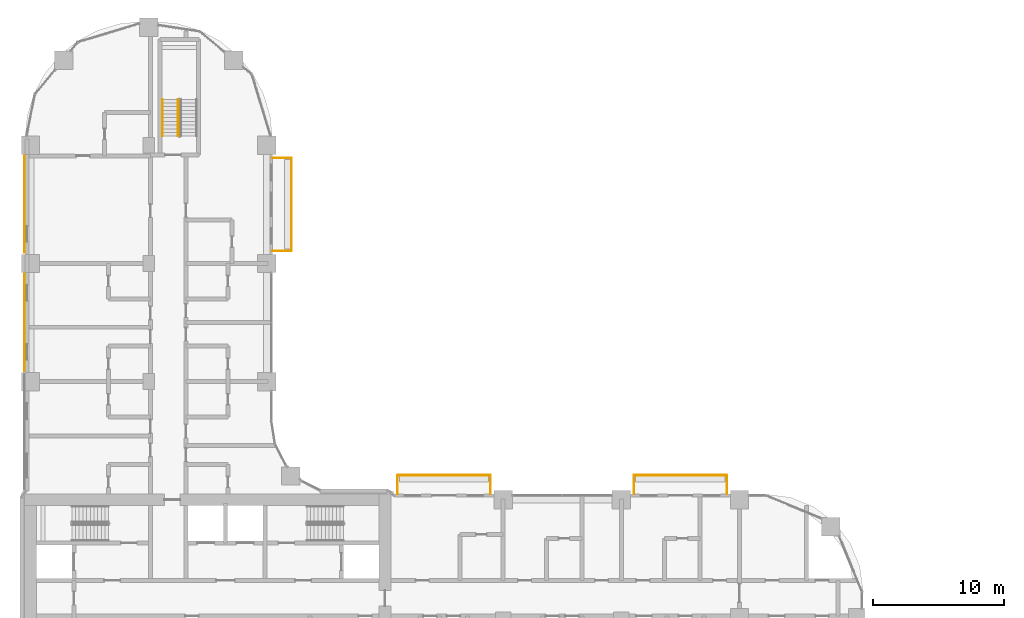
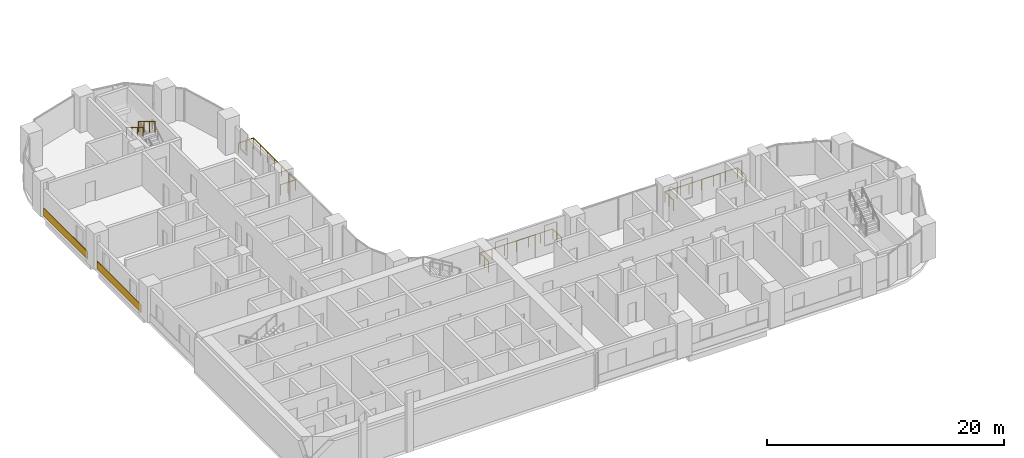
# One storey, part 28 of 30: 5 railings, 2 coverings.
"""IFC4 building model written with IfcOpenShell, lengths in metres."""

from ifc_helpers import new_model, si_unit, direction, frame, origin, origin_2d, place, context, subcontext, project, spatial, rectangle, circle, extrude, material, layer, layer_set, type_object, element, save


model = new_model("IFC4")

# Units and contexts
model_context = context("Model", 3, precision=1e-05, world=origin(), true_north=direction((0.0, 1.0)))
body_context = subcontext(model_context, "Body", "Model", "MODEL_VIEW")
ifc_project = project(units=[si_unit("LENGTHUNIT", "METRE"), si_unit("AREAUNIT", "SQUARE_METRE"), si_unit("VOLUMEUNIT", "CUBIC_METRE"), si_unit("PLANEANGLEUNIT", "RADIAN"), si_unit("MASSUNIT", "GRAM", prefix="KILO")], contexts=[model_context])

# Site, building, storey
site_placement = place(None, origin())
site = spatial("IfcSite", under=ifc_project, at=site_placement, CompositionType="ELEMENT")
building_placement = place(site_placement, origin())
building = spatial("IfcBuilding", under=site, at=building_placement, Name="Ogive Portal Towers", CompositionType="ELEMENT")
storey_placement = place(building_placement, frame((0.0, 0.0, 37.199951171875)))
storey = spatial("IfcBuildingStorey", under=building, at=storey_placement, Name="L07", CompositionType="ELEMENT", Elevation=37.199951171875)

# Railings
ifc_material_1 = material(Name="Steel S355", Category="steel")
railing_type_1 = type_object("IfcRailingType", Name="BALUSTRADE GLASS 1100", PredefinedType="BALUSTRADE", material=ifc_material_1)
railing_1_placement = place(storey_placement, frame((59.4599609375, 39.925048828125, 0.0)))
element("IfcRailing", 1, at=railing_1_placement, inside=storey, type_object=railing_type_1, Name="A:L07:bal:T1:rail", PredefinedType="BALUSTRADE", context=body_context, shape_type="SweptSolid", body=[
    extrude(circle(Radius=0.02392578125, at=origin_2d()), frame((0.0, 0.0, 1.076171875), z_axis=(0.0, 1.0, 0.0), x_axis=(-1.0, 0.0, 0.0)), (0.0, 0.0, 1.0), 1.43994140625),
    extrude(circle(Radius=0.02392578125, at=origin_2d()), frame((0.0, 1.43994140625, 1.076171875), z_axis=(1.0, 0.0, 0.0), x_axis=(0.0, 1.0, 0.0)), (0.0, 0.0, 1.0), 7.080078125),
    extrude(circle(Radius=0.02392578125, at=origin_2d()), frame((7.080078125, 1.43994140625, 1.076171875), z_axis=(0.0, -1.0, 0.0), x_axis=(1.0, 0.0, 0.0)), (0.0, 0.0, 1.0), 1.43994140625),
    extrude(circle(Radius=0.02099609375, at=origin_2d()), origin(), (0.0, 0.0, 1.0), 1.052001953125),
    extrude(circle(Radius=0.02099609375, at=origin_2d()), frame((0.0, 0.719970703125, 0.0)), (0.0, 0.0, 1.0), 1.052001953125),
    extrude(circle(Radius=0.02099609375, at=origin_2d()), frame((0.0, 1.43994140625, 0.0)), (0.0, 0.0, 1.0), 1.052001953125),
    extrude(circle(Radius=0.02099609375, at=origin_2d()), frame((1.179931640625, 1.43994140625, 0.0)), (0.0, 0.0, 1.0), 1.052001953125),
    extrude(circle(Radius=0.02099609375, at=origin_2d()), frame((2.360107421875, 1.43994140625, 0.0)), (0.0, 0.0, 1.0), 1.052001953125),
    extrude(circle(Radius=0.02099609375, at=origin_2d()), frame((3.5400390625, 1.43994140625, 0.0)), (0.0, 0.0, 1.0), 1.052001953125),
    extrude(circle(Radius=0.02099609375, at=origin_2d()), frame((4.719970703125, 1.43994140625, 0.0)), (0.0, 0.0, 1.0), 1.052001953125),
    extrude(circle(Radius=0.02099609375, at=origin_2d()), frame((5.900146484375, 1.43994140625, 0.0)), (0.0, 0.0, 1.0), 1.052001953125),
    extrude(circle(Radius=0.02099609375, at=origin_2d()), frame((7.080078125, 1.43994140625, 0.0)), (0.0, 0.0, 1.0), 1.052001953125),
    extrude(circle(Radius=0.02099609375, at=origin_2d()), frame((7.080078125, 0.719970703125, 0.0)), (0.0, 0.0, 1.0), 1.052001953125),
    extrude(circle(Radius=0.02099609375, at=origin_2d()), frame((7.080078125, 0.0, 0.0)), (0.0, 0.0, 1.0), 1.052001953125),
])
railing_2_placement = place(storey_placement, frame((77.4599609375, 39.925048828125, 0.0)))
element("IfcRailing", 2, at=railing_2_placement, inside=storey, type_object=railing_type_1, Name="A:L07:bal:T3:rail", PredefinedType="BALUSTRADE", context=body_context, shape_type="SweptSolid", body=[
    extrude(circle(Radius=0.02392578125, at=origin_2d()), frame((0.0, 0.0, 1.076171875), z_axis=(0.0, 1.0, 0.0), x_axis=(-1.0, 0.0, 0.0)), (0.0, 0.0, 1.0), 1.43994140625),
    extrude(circle(Radius=0.02392578125, at=origin_2d()), frame((0.0, 1.43994140625, 1.076171875), z_axis=(1.0, 0.0, 0.0), x_axis=(0.0, 1.0, 0.0)), (0.0, 0.0, 1.0), 7.080078125),
    extrude(circle(Radius=0.02392578125, at=origin_2d()), frame((7.080078125, 1.43994140625, 1.076171875), z_axis=(0.0, -1.0, 0.0), x_axis=(1.0, 0.0, 0.0)), (0.0, 0.0, 1.0), 1.43994140625),
    extrude(circle(Radius=0.02099609375, at=origin_2d()), origin(), (0.0, 0.0, 1.0), 1.052001953125),
    extrude(circle(Radius=0.02099609375, at=origin_2d()), frame((0.0, 0.719970703125, 0.0)), (0.0, 0.0, 1.0), 1.052001953125),
    extrude(circle(Radius=0.02099609375, at=origin_2d()), frame((0.0, 1.43994140625, 0.0)), (0.0, 0.0, 1.0), 1.052001953125),
    extrude(circle(Radius=0.02099609375, at=origin_2d()), frame((1.179931640625, 1.43994140625, 0.0)), (0.0, 0.0, 1.0), 1.052001953125),
    extrude(circle(Radius=0.02099609375, at=origin_2d()), frame((2.360107421875, 1.43994140625, 0.0)), (0.0, 0.0, 1.0), 1.052001953125),
    extrude(circle(Radius=0.02099609375, at=origin_2d()), frame((3.5400390625, 1.43994140625, 0.0)), (0.0, 0.0, 1.0), 1.052001953125),
    extrude(circle(Radius=0.02099609375, at=origin_2d()), frame((4.719970703125, 1.43994140625, 0.0)), (0.0, 0.0, 1.0), 1.052001953125),
    extrude(circle(Radius=0.02099609375, at=origin_2d()), frame((5.900146484375, 1.43994140625, 0.0)), (0.0, 0.0, 1.0), 1.052001953125),
    extrude(circle(Radius=0.02099609375, at=origin_2d()), frame((7.080078125, 1.43994140625, 0.0)), (0.0, 0.0, 1.0), 1.052001953125),
    extrude(circle(Radius=0.02099609375, at=origin_2d()), frame((7.080078125, 0.719970703125, 0.0)), (0.0, 0.0, 1.0), 1.052001953125),
    extrude(circle(Radius=0.02099609375, at=origin_2d()), frame((7.080078125, 0.0, 0.0)), (0.0, 0.0, 1.0), 1.052001953125),
])
railing_3_placement = place(storey_placement, frame((49.925048828125, 58.4599609375, 0.0)))
element("IfcRailing", 3, at=railing_3_placement, inside=storey, type_object=railing_type_1, Name="A:L07:bal:S2:rail", PredefinedType="BALUSTRADE", context=body_context, shape_type="SweptSolid", body=[
    extrude(circle(Radius=0.02392578125, at=origin_2d()), frame((0.0, 0.0, 1.076171875), z_axis=(1.0, 0.0, 0.0), x_axis=(0.0, 1.0, 0.0)), (0.0, 0.0, 1.0), 1.43994140625),
    extrude(circle(Radius=0.02392578125, at=origin_2d()), frame((1.43994140625, 0.0, 1.076171875), z_axis=(0.0, 1.0, 0.0), x_axis=(-1.0, 0.0, 0.0)), (0.0, 0.0, 1.0), 7.080078125),
    extrude(circle(Radius=0.02392578125, at=origin_2d()), frame((1.43994140625, 7.080078125, 1.076171875), z_axis=(-1.0, 0.0, 0.0), x_axis=(0.0, -1.0, 0.0)), (0.0, 0.0, 1.0), 1.43994140625),
    extrude(circle(Radius=0.02099609375, at=origin_2d()), origin(), (0.0, 0.0, 1.0), 1.052001953125),
    extrude(circle(Radius=0.02099609375, at=origin_2d()), frame((0.719970703125, 0.0, 0.0)), (0.0, 0.0, 1.0), 1.052001953125),
    extrude(circle(Radius=0.02099609375, at=origin_2d()), frame((1.43994140625, 0.0, 0.0)), (0.0, 0.0, 1.0), 1.052001953125),
    extrude(circle(Radius=0.02099609375, at=origin_2d()), frame((1.43994140625, 1.179931640625, 0.0)), (0.0, 0.0, 1.0), 1.052001953125),
    extrude(circle(Radius=0.02099609375, at=origin_2d()), frame((1.43994140625, 2.360107421875, 0.0)), (0.0, 0.0, 1.0), 1.052001953125),
    extrude(circle(Radius=0.02099609375, at=origin_2d()), frame((1.43994140625, 3.5400390625, 0.0)), (0.0, 0.0, 1.0), 1.052001953125),
    extrude(circle(Radius=0.02099609375, at=origin_2d()), frame((1.43994140625, 4.719970703125, 0.0)), (0.0, 0.0, 1.0), 1.052001953125),
    extrude(circle(Radius=0.02099609375, at=origin_2d()), frame((1.43994140625, 5.900146484375, 0.0)), (0.0, 0.0, 1.0), 1.052001953125),
    extrude(circle(Radius=0.02099609375, at=origin_2d()), frame((1.43994140625, 7.080078125, 0.0)), (0.0, 0.0, 1.0), 1.052001953125),
    extrude(circle(Radius=0.02099609375, at=origin_2d()), frame((0.719970703125, 7.080078125, 0.0)), (0.0, 0.0, 1.0), 1.052001953125),
    extrude(circle(Radius=0.02099609375, at=origin_2d()), frame((0.0, 7.080078125, 0.0)), (0.0, 0.0, 1.0), 1.052001953125),
])
ifc_material_2 = material(Name="Stainless steel balustrade", Category="steel")
railing_type_2 = type_object("IfcRailingType", Name="INT-GUARD", PredefinedType="GUARDRAIL", material=ifc_material_2)
railing_4_placement = place(storey_placement, frame((42.75, 70.0, 2.018310546875)))
element("IfcRailing", 4, at=railing_4_placement, inside=storey, type_object=railing_type_2, Name="L07 ST-A3 stair guard 3", PredefinedType="GUARDRAIL", context=body_context, shape_type="SweptSolid", body=[
    extrude(circle(Radius=0.02392578125, at=origin_2d()), frame((0.0, 0.0, 1.076171875), z_axis=(0.0, -0.857275202839, 0.514858452973), x_axis=(1.0, 0.0, 0.0)), (0.0, 0.0, 1.0), 3.26611328125),
    extrude(circle(Radius=0.02099609375, at=origin_2d()), origin(), (0.0, 0.0, 1.0), 1.052001953125),
    extrude(circle(Radius=0.02099609375, at=origin_2d()), frame((0.0, -0.933349609375, 0.560546875)), (0.0, 0.0, 1.0), 1.052001953125),
    extrude(circle(Radius=0.02099609375, at=origin_2d()), frame((0.0, -1.86669921875, 1.12109375)), (0.0, 0.0, 1.0), 1.052001953125),
    extrude(circle(Radius=0.02099609375, at=origin_2d()), frame((0.0, -2.800048828125, 1.681640625)), (0.0, 0.0, 1.0), 1.052001953125),
])
ifc_material_3 = material(Name="Stainless steel handrail", Category="steel")
railing_type_3 = type_object("IfcRailingType", Name="INT-HANDRAIL", PredefinedType="HANDRAIL", material=ifc_material_3)
railing_5_placement = place(storey_placement, frame((41.550048828125, 70.0, 2.018310546875)))
element("IfcRailing", 5, at=railing_5_placement, inside=storey, type_object=railing_type_3, Name="L07 ST-A3 stair handrail 2", PredefinedType="HANDRAIL", context=body_context, shape_type="SweptSolid", body=[
    extrude(circle(Radius=0.02392578125, at=origin_2d()), frame((0.0, 0.0, 0.8759765625), z_axis=(0.0, -0.857275202839, 0.514858452973), x_axis=(1.0, 0.0, 0.0)), (0.0, 0.0, 1.0), 3.26611328125),
    extrude(circle(Radius=0.02099609375, at=origin_2d()), origin(), (0.0, 0.0, 1.0), 0.851806640625),
    extrude(circle(Radius=0.02099609375, at=origin_2d()), frame((0.0, -0.933349609375, 0.560546875)), (0.0, 0.0, 1.0), 0.851806640625),
    extrude(circle(Radius=0.02099609375, at=origin_2d()), frame((0.0, -1.86669921875, 1.12109375)), (0.0, 0.0, 1.0), 0.851806640625),
    extrude(circle(Radius=0.02099609375, at=origin_2d()), frame((0.0, -2.800048828125, 1.681640625)), (0.0, 0.0, 1.0), 0.851806640625),
])

# Coverings
ifc_material_4 = material(Name="Limestone cladding on lightweight block wall", Category="masonry")
ifc_layer = layer(ifc_material_4, 0.050048828125)
ifc_layer_set = layer_set([ifc_layer], Name="SCREEN PERFORATED STONE")
covering_type = type_object("IfcCoveringType", Name="SCREEN PERFORATED STONE", PredefinedType="CLADDING", material=ifc_layer_set)
for number, where, z_axis, x_axis, name in (
    (6, (31.050048828125, 62.0, 0.10009765625), (0.0, 0.0, 1.0), (0.0, -1.0, 0.0), "Tracery screen"),
    (7, (31.050048828125, 53.0, 0.10009765625), (0.0, 0.0, 1.0), (0.0, -1.0, 0.0), "Tracery screen"),
):
    element("IfcCovering", number, at=place(storey_placement, frame(where, z_axis=z_axis, x_axis=x_axis)), inside=storey, type_object=covering_type, Name=name, PredefinedType="CLADDING", context=body_context, shape_type="SweptSolid", body=[
        extrude(rectangle(XDim=7.39990234375, YDim=0.050048828125, at=origin_2d()), origin(), (0.0, 0.0, 1.0), 0.800048828125),
    ])

save(model, "model.ifc")
